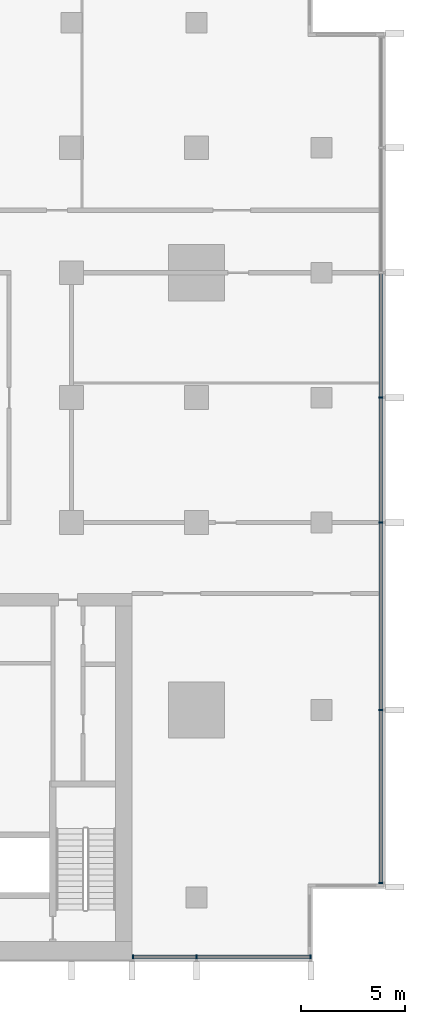
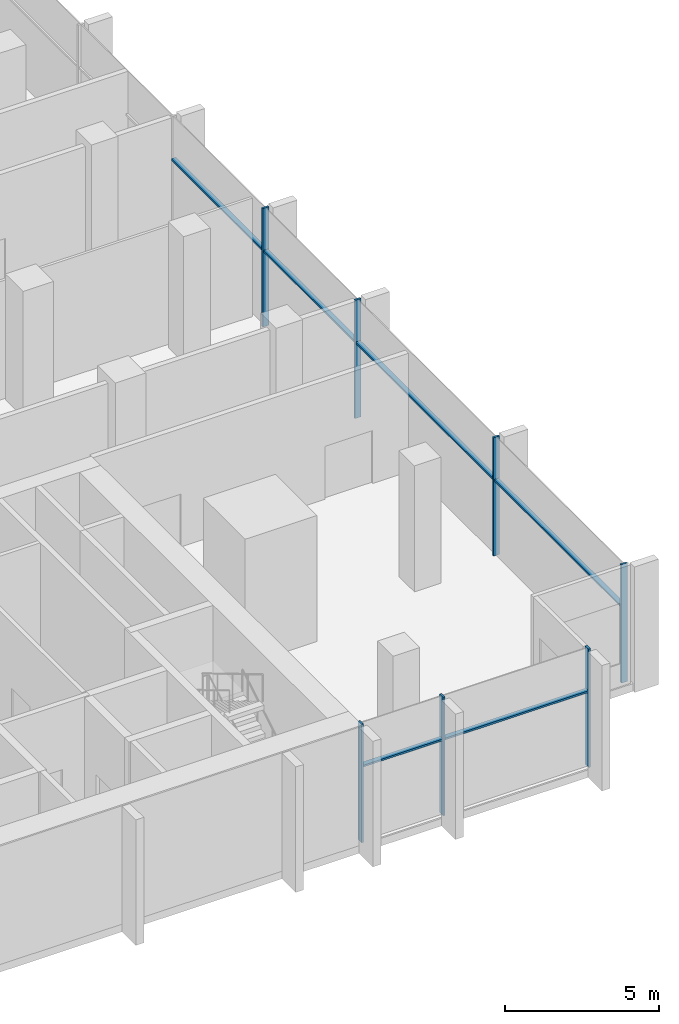
# One storey, part 3 of 14: 13 members, 2 elements without a shape of their own.
"""IFC4 building model written with IfcOpenShell, lengths in metres."""

from ifc_helpers import new_model, si_unit, direction, frame, origin, origin_2d, place, context, subcontext, project, spatial, rectangle, extrude, material, material_profile, profile_set, type_object, element, aggregate, save


model = new_model("IFC4")

# Units and contexts
model_context = context("Model", 3, precision=1e-05, world=origin(), true_north=direction((0.0, 1.0)))
body_context = subcontext(model_context, "Body", "Model", "MODEL_VIEW")
ifc_project = project(units=[si_unit("LENGTHUNIT", "METRE"), si_unit("AREAUNIT", "SQUARE_METRE"), si_unit("VOLUMEUNIT", "CUBIC_METRE"), si_unit("PLANEANGLEUNIT", "RADIAN"), si_unit("MASSUNIT", "GRAM", prefix="KILO")], contexts=[model_context])

# Site, building, storey
site_placement = place(None, origin())
site = spatial("IfcSite", under=ifc_project, at=site_placement, CompositionType="ELEMENT")
building_placement = place(site_placement, origin())
building = spatial("IfcBuilding", under=site, at=building_placement, Name="Finial Court Residences", CompositionType="ELEMENT")
storey_placement = place(building_placement, frame((0.0, 0.0, 133.89990234375)))
storey = spatial("IfcBuildingStorey", under=building, at=storey_placement, Name="L33", CompositionType="ELEMENT", Elevation=133.89990234375)

# Curtain wall, members
ifc_material = material(Name="Bronze anodised aluminium", Category="aluminium")
curtain_wall_type = type_object("IfcCurtainWallType", Name="Sky amenity glazing", PredefinedType="NOTDEFINED", material=ifc_material)
curtain_wall_1_placement = place(storey_placement, origin())
curtain_wall_1 = element("IfcCurtainWall", 1, at=curtain_wall_1_placement, inside=storey, type_object=curtain_wall_type, Name="E-L33-CW-E2", PredefinedType="NOTDEFINED")
ifc_material_profile_1 = material_profile(ifc_material, rectangle(XDim=0.22509765625, YDim=0.074951171875, at=origin_2d()), Name="CW3 mullion 75 x 225")
ifc_profile_set_1 = profile_set([ifc_material_profile_1], Name="Bronze anodised aluminium")
member_type_1 = type_object("IfcMemberType", Name="CW3 mullion 75 x 225", PredefinedType="MULLION", material=ifc_profile_set_1)
member_1_placement = place(storey_placement, frame((25.35009765625, -21.8125, 0.0), z_axis=(0.0, 0.0, 1.0), x_axis=(-1.0, 0.0, 0.0)))
member_1 = element("IfcMember", 2, at=member_1_placement, type_object=member_type_1, Name="CW3 mullion 1", PredefinedType="MULLION", context=body_context, shape_type="SweptSolid", body=[
    extrude(rectangle(XDim=0.22509765625, YDim=0.074951171875, at=origin_2d()), origin(), (0.0, 0.0, 1.0), 4.7001953125),
])
member_2_placement = place(storey_placement, frame((25.35009765625, -13.5, 0.0), z_axis=(0.0, 0.0, 1.0), x_axis=(-1.0, 0.0, 0.0)))
member_2 = element("IfcMember", 3, at=member_2_placement, type_object=member_type_1, Name="CW3 mullion 2", PredefinedType="MULLION", context=body_context, shape_type="SweptSolid", body=[
    extrude(rectangle(XDim=0.22509765625, YDim=0.074951171875, at=origin_2d()), origin(), (0.0, 0.0, 1.0), 4.7001953125),
])
member_3_placement = place(storey_placement, frame((25.35009765625, -4.5, 0.0), z_axis=(0.0, 0.0, 1.0), x_axis=(-1.0, 0.0, 0.0)))
member_3 = element("IfcMember", 4, at=member_3_placement, type_object=member_type_1, Name="CW3 mullion 3", PredefinedType="MULLION", context=body_context, shape_type="SweptSolid", body=[
    extrude(rectangle(XDim=0.22509765625, YDim=0.074951171875, at=origin_2d()), origin(), (0.0, 0.0, 1.0), 4.7001953125),
])
member_4_placement = place(storey_placement, frame((25.35009765625, 1.5, 0.0), z_axis=(0.0, 0.0, 1.0), x_axis=(-1.0, 0.0, 0.0)))
member_4 = element("IfcMember", 5, at=member_4_placement, type_object=member_type_1, Name="CW3 mullion 4", PredefinedType="MULLION", context=body_context, shape_type="SweptSolid", body=[
    extrude(rectangle(XDim=0.22509765625, YDim=0.074951171875, at=origin_2d()), origin(), (0.0, 0.0, 1.0), 4.7001953125),
])

curtain_wall_2_placement = place(storey_placement, origin())
curtain_wall_2 = element("IfcCurtainWall", 6, at=curtain_wall_2_placement, inside=storey, type_object=curtain_wall_type, Name="E-L33-CW-S4", PredefinedType="NOTDEFINED")
member_5_placement = place(storey_placement, frame((13.4375, -25.35009765625, 0.0), z_axis=(0.0, 0.0, 1.0), x_axis=(0.0, 1.0, 0.0)))
member_5 = element("IfcMember", 7, at=member_5_placement, type_object=member_type_1, Name="CW3 mullion 1", PredefinedType="MULLION", context=body_context, shape_type="SweptSolid", body=[
    extrude(rectangle(XDim=0.22509765625, YDim=0.074951171875, at=origin_2d()), origin(), (0.0, 0.0, 1.0), 4.7001953125),
])
member_6_placement = place(storey_placement, frame((16.5, -25.35009765625, 0.0), z_axis=(0.0, 0.0, 1.0), x_axis=(0.0, 1.0, 0.0)))
member_6 = element("IfcMember", 8, at=member_6_placement, type_object=member_type_1, Name="CW3 mullion 2", PredefinedType="MULLION", context=body_context, shape_type="SweptSolid", body=[
    extrude(rectangle(XDim=0.22509765625, YDim=0.074951171875, at=origin_2d()), origin(), (0.0, 0.0, 1.0), 4.7001953125),
])
member_7_placement = place(storey_placement, frame((21.96240234375, -25.35009765625, 0.0), z_axis=(0.0, 0.0, 1.0), x_axis=(0.0, 1.0, 0.0)))
member_7 = element("IfcMember", 9, at=member_7_placement, type_object=member_type_1, Name="CW3 mullion 3", PredefinedType="MULLION", context=body_context, shape_type="SweptSolid", body=[
    extrude(rectangle(XDim=0.22509765625, YDim=0.074951171875, at=origin_2d()), origin(), (0.0, 0.0, 1.0), 4.7001953125),
])

# Member
ifc_material_profile_2 = material_profile(ifc_material, rectangle(XDim=0.175048828125, YDim=0.074951171875, at=origin_2d()), Name="CW3 transom 75 x 175")
ifc_profile_set_2 = profile_set([ifc_material_profile_2], Name="Bronze anodised aluminium")
member_type_2 = type_object("IfcMemberType", Name="CW3 transom 75 x 175", PredefinedType="USERDEFINED", material=ifc_profile_set_2)
member_8_placement = place(storey_placement, frame((25.35009765625, -21.77490234375, 3.0), z_axis=(0.0, 1.0, 0.0), x_axis=(-1.0, 0.0, 0.0)))
member_8 = element("IfcMember", 10, at=member_8_placement, type_object=member_type_2, Name="CW3 transom 1.1", ObjectType="TRANSOM", PredefinedType="USERDEFINED", context=body_context, shape_type="SweptSolid", body=[
    extrude(rectangle(XDim=0.175048828125, YDim=0.074951171875, at=origin_2d()), origin(), (0.0, 0.0, 1.0), 8.2373046875),
])

member_9_placement = place(storey_placement, frame((25.35009765625, -13.46240234375, 3.0), z_axis=(0.0, 1.0, 0.0), x_axis=(-1.0, 0.0, 0.0)))
member_9 = element("IfcMember", 11, at=member_9_placement, type_object=member_type_2, Name="CW3 transom 2.1", ObjectType="TRANSOM", PredefinedType="USERDEFINED", context=body_context, shape_type="SweptSolid", body=[
    extrude(rectangle(XDim=0.175048828125, YDim=0.074951171875, at=origin_2d()), origin(), (0.0, 0.0, 1.0), 8.9248046875),
])

member_10_placement = place(storey_placement, frame((25.35009765625, -4.46240234375, 3.0), z_axis=(0.0, 1.0, 0.0), x_axis=(-1.0, 0.0, 0.0)))
member_10 = element("IfcMember", 12, at=member_10_placement, type_object=member_type_2, Name="CW3 transom 3.1", ObjectType="TRANSOM", PredefinedType="USERDEFINED", context=body_context, shape_type="SweptSolid", body=[
    extrude(rectangle(XDim=0.175048828125, YDim=0.074951171875, at=origin_2d()), origin(), (0.0, 0.0, 1.0), 5.9248046875),
])

member_11_placement = place(storey_placement, frame((25.35009765625, 1.53759765625, 3.0), z_axis=(0.0, 1.0, 0.0), x_axis=(-1.0, 0.0, 0.0)))
member_11 = element("IfcMember", 13, at=member_11_placement, type_object=member_type_2, Name="CW3 transom 4.1", ObjectType="TRANSOM", PredefinedType="USERDEFINED", context=body_context, shape_type="SweptSolid", body=[
    extrude(rectangle(XDim=0.175048828125, YDim=0.074951171875, at=origin_2d()), origin(), (0.0, 0.0, 1.0), 5.9248046875),
])

aggregate(curtain_wall_1, [member_1, member_2, member_3, member_4, member_8, member_9, member_10, member_11])

member_12_placement = place(storey_placement, frame((13.47509765625, -25.35009765625, 3.0), z_axis=(1.0, 0.0, 0.0), x_axis=(0.0, 1.0, 0.0)))
member_12 = element("IfcMember", 14, at=member_12_placement, type_object=member_type_2, Name="CW3 transom 1.1", ObjectType="TRANSOM", PredefinedType="USERDEFINED", context=body_context, shape_type="SweptSolid", body=[
    extrude(rectangle(XDim=0.175048828125, YDim=0.074951171875, at=origin_2d()), origin(), (0.0, 0.0, 1.0), 2.9873046875),
])

member_13_placement = place(storey_placement, frame((16.53759765625, -25.35009765625, 3.0), z_axis=(1.0, 0.0, 0.0), x_axis=(0.0, 1.0, 0.0)))
member_13 = element("IfcMember", 15, at=member_13_placement, type_object=member_type_2, Name="CW3 transom 2.1", ObjectType="TRANSOM", PredefinedType="USERDEFINED", context=body_context, shape_type="SweptSolid", body=[
    extrude(rectangle(XDim=0.175048828125, YDim=0.074951171875, at=origin_2d()), origin(), (0.0, 0.0, 1.0), 5.387451171875),
])

aggregate(curtain_wall_2, [member_5, member_6, member_7, member_12, member_13])

save(model, "model.ifc")
